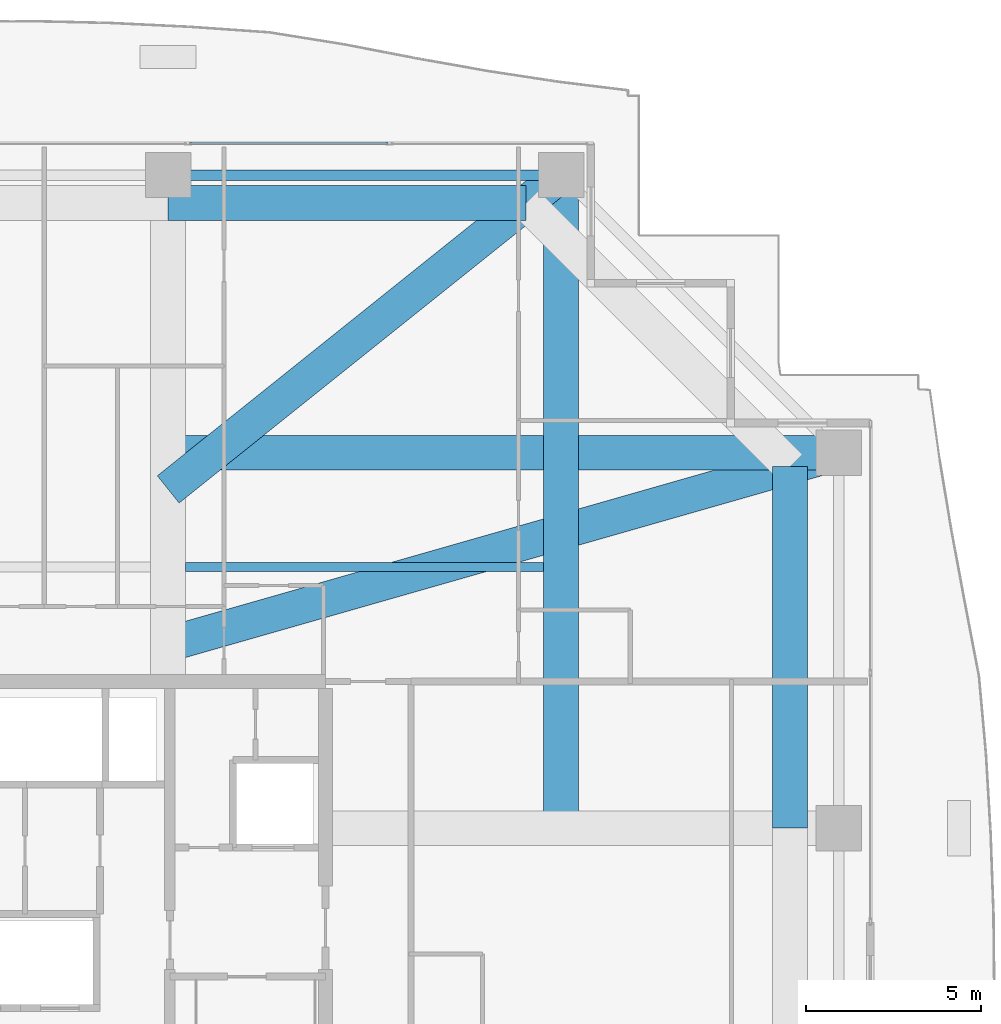
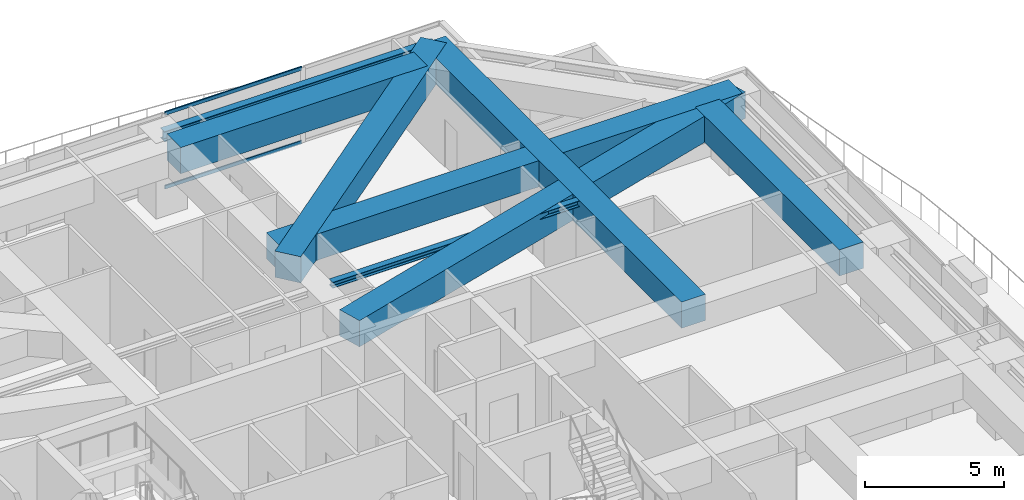
# One storey, part 19 of 32: 8 beams, 2 members, 1 element without a shape of its own.
"""IFC4 building model written with IfcOpenShell, lengths in metres."""

from ifc_helpers import new_model, si_unit, direction, frame, origin, origin_2d, place, context, subcontext, project, spatial, rectangle, hollow_rectangle, i_section, extrude, source, transform, mapped, material, layer, layer_set, material_profile, profile_set, type_object, element, aggregate, save


model = new_model("IFC4")

# Units and contexts
model_context = context("Model", 3, precision=1e-05, world=origin(), true_north=direction((0.0, 1.0)))
body_context = subcontext(model_context, "Body", "Model", "MODEL_VIEW")
ifc_project = project(units=[si_unit("LENGTHUNIT", "METRE"), si_unit("AREAUNIT", "SQUARE_METRE"), si_unit("VOLUMEUNIT", "CUBIC_METRE"), si_unit("PLANEANGLEUNIT", "RADIAN"), si_unit("MASSUNIT", "GRAM", prefix="KILO")], contexts=[model_context])

# Site, building, storey
site_placement = place(None, origin())
site = spatial("IfcSite", under=ifc_project, at=site_placement, CompositionType="ELEMENT")
building_placement = place(site_placement, origin())
building = spatial("IfcBuilding", under=site, at=building_placement, Name="Serunith Strait Residences", CompositionType="ELEMENT")
storey_placement = place(building_placement, frame((0.0, 0.0, 195.14990234375)))
storey = spatial("IfcBuildingStorey", under=building, at=storey_placement, Name="L49", CompositionType="ELEMENT", Elevation=195.14990234375)

# Beams
ifc_material_1 = material(Name="Steel S355J2", Category="steel")
ifc_material_profile_1 = material_profile(ifc_material_1, i_section(OverallWidth=0.300048828125, OverallDepth=0.449951171875, WebThickness=0.013916015625, FlangeThickness=0.02587890625, FilletRadius=0.027099609375, at=origin_2d()), Name="HEB 450")
ifc_profile_set_1 = profile_set([ifc_material_profile_1], Name="Steel S355J2")
beam_type_1 = type_object("IfcBeamType", Name="BM-HEB450", PredefinedType="BEAM", material=ifc_profile_set_1)
shared_shape_1 = source(origin(), body_context, "Body", "SweptSolid", [
    extrude(i_section(OverallWidth=0.300048828125, OverallDepth=0.449951171875, WebThickness=0.013916015625, FlangeThickness=0.02587890625, FilletRadius=0.027099609375, at=origin_2d()), origin(), (0.0, 0.0, 1.0), 11.25),
])
beam_1_placement = place(storey_placement, frame((48.14990234375, 48.10009765625, 3.08203125), z_axis=(-1.0, 0.0, 0.0), x_axis=(0.0, -1.0, 0.0)))
element("IfcBeam", 1, at=beam_1_placement, inside=storey, type_object=beam_type_1, Name="L49 Perimeter Ring Beam 09", PredefinedType="BEAM", context=body_context, shape_type="MappedRepresentation", body=[
    mapped(shared_shape_1, transform((0.0, 0.0, 0.0), scale=1.0)),
])
ifc_material_2 = material(Name="Concrete C80/95", Category="concrete")
ifc_material_profile_2 = material_profile(ifc_material_2, rectangle(XDim=1.0, YDim=1.14990234375, at=origin_2d()), Name="RC 1000x1150")
ifc_profile_set_2 = profile_set([ifc_material_profile_2], Name="Concrete C80/95")
beam_type_2 = type_object("IfcBeamType", Name="BM-XFER-1000x1150", PredefinedType="BEAM", material=ifc_profile_set_2)
shared_shape_2 = source(origin(), body_context, "Body", "SweptSolid", [
    extrude(rectangle(XDim=1.0, YDim=1.14990234375, at=origin_2d()), origin(), (0.0, 0.0, 1.0), 18.7001953125),
])
beam_2_placement = place(storey_placement, frame((48.14990234375, 29.39990234375, 2.735107421875), z_axis=(0.0, 1.0, 0.0), x_axis=(-1.0, 0.0, 0.0)))
element("IfcBeam", 2, at=beam_2_placement, inside=storey, type_object=beam_type_2, Name="L49 Orthogonal Corner Girder TC-N4", PredefinedType="BEAM", context=body_context, shape_type="MappedRepresentation", body=[
    mapped(shared_shape_2, transform((0.0, 0.0, 0.0), scale=1.0)),
])
shared_shape_3 = source(origin(), body_context, "Body", "SweptSolid", [
    extrude(rectangle(XDim=1.0, YDim=1.14990234375, at=origin_2d()), origin(), (0.0, 0.0, 1.0), 19.2001953125),
])
beam_3_placement = place(storey_placement, frame((36.89990234375, 40.14990234375, 2.735107421875), z_axis=(1.0, 0.0, 0.0), x_axis=(0.0, 1.0, 0.0)))
element("IfcBeam", 3, at=beam_3_placement, inside=storey, type_object=beam_type_2, Name="L49 Orthogonal Corner Girder TC-E4", PredefinedType="BEAM", context=body_context, shape_type="MappedRepresentation", body=[
    mapped(shared_shape_3, transform((0.0, 0.0, 0.0), scale=1.0)),
])
shared_shape_4 = source(origin(), body_context, "Body", "SweptSolid", [
    extrude(rectangle(XDim=1.0, YDim=1.14990234375, at=origin_2d()), origin(), (0.0, 0.0, 1.0), 14.406982421875),
])
beam_4_placement = place(storey_placement, frame((48.14990234375, 48.10009765625, 2.735107421875), z_axis=(-0.780868809443, -0.624695047554, 0.0), x_axis=(0.624695047554, -0.780868809443, 0.0)))
element("IfcBeam", 4, at=beam_4_placement, inside=storey, type_object=beam_type_2, Name="L49 Diagonal Corner Transfer Girder TC-N4", PredefinedType="BEAM", context=body_context, shape_type="MappedRepresentation", body=[
    mapped(shared_shape_4, transform((0.0, 0.0, 0.0), scale=1.0)),
])
shared_shape_5 = source(origin(), body_context, "Body", "SweptSolid", [
    extrude(rectangle(XDim=1.0, YDim=1.14990234375, at=origin_2d()), origin(), (0.0, 0.0, 1.0), 19.968505859375),
])
beam_5_placement = place(storey_placement, frame((56.10009765625, 40.14990234375, 2.735107421875), z_axis=(-0.961526254459, -0.274713053907, 0.0), x_axis=(0.274713053907, -0.961526254459, 0.0)))
element("IfcBeam", 5, at=beam_5_placement, inside=storey, type_object=beam_type_2, Name="L49 Diagonal Corner Transfer Girder TC-E4", PredefinedType="BEAM", context=body_context, shape_type="MappedRepresentation", body=[
    mapped(shared_shape_5, transform((0.0, 0.0, 0.0), scale=1.0)),
])
shared_shape_6 = source(origin(), body_context, "Body", "SweptSolid", [
    extrude(rectangle(XDim=1.0, YDim=1.14990234375, at=origin_2d()), origin(), (0.0, 0.0, 1.0), 10.25),
])
beam_6_placement = place(storey_placement, frame((47.14990234375, 47.300048828125, 2.735107421875), z_axis=(-1.0, 0.0, 0.0), x_axis=(0.0, -1.0, 0.0)))
element("IfcBeam", 6, at=beam_6_placement, inside=storey, type_object=beam_type_2, Name="L49 Flare Upper Ring Transfer Girder 09", PredefinedType="BEAM", context=body_context, shape_type="MappedRepresentation", body=[
    mapped(shared_shape_6, transform((0.0, 0.0, 0.0), scale=1.0)),
])
shared_shape_7 = source(origin(), body_context, "Body", "SweptSolid", [
    extrude(rectangle(XDim=1.0, YDim=1.14990234375, at=origin_2d()), origin(), (0.0, 0.0, 1.0), 10.35009765625),
])
beam_7_placement = place(storey_placement, frame((54.699951171875, 29.39990234375, 2.735107421875), z_axis=(0.0, 1.0, 0.0), x_axis=(-1.0, 0.0, 0.0)))
element("IfcBeam", 7, at=beam_7_placement, inside=storey, type_object=beam_type_2, Name="L49 Flare Upper Ring Transfer Girder 07", PredefinedType="BEAM", context=body_context, shape_type="MappedRepresentation", body=[
    mapped(shared_shape_7, transform((0.0, 0.0, 0.0), scale=1.0)),
])
ifc_material_profile_3 = material_profile(ifc_material_1, i_section(OverallWidth=0.260009765625, OverallDepth=0.260009765625, WebThickness=0.010009765625, FlangeThickness=0.017578125, FilletRadius=0.02392578125, at=origin_2d()), Name="HEB 260")
ifc_profile_set_3 = profile_set([ifc_material_profile_3], Name="Steel S355J2")
beam_type_3 = type_object("IfcBeamType", Name="BM-HEB260", PredefinedType="JOIST", material=ifc_profile_set_3)
shared_shape_8 = source(origin(), body_context, "Body", "SweptSolid", [
    extrude(i_section(OverallWidth=0.260009765625, OverallDepth=0.260009765625, WebThickness=0.010009765625, FlangeThickness=0.017578125, FilletRadius=0.02392578125, at=origin_2d()), origin(), (0.0, 0.0, 1.0), 10.25),
])
beam_8_placement = place(storey_placement, frame((37.39990234375, 36.875, 3.177001953125), z_axis=(1.0, 0.0, 0.0), x_axis=(0.0, 1.0, 0.0)))
element("IfcBeam", 8, at=beam_8_placement, inside=storey, type_object=beam_type_3, Name="L49 Composite Floor Joist 06", PredefinedType="JOIST", context=body_context, shape_type="MappedRepresentation", body=[
    mapped(shared_shape_8, transform((0.0, 0.0, 0.0), scale=1.0)),
])

# Curtain wall, members
ifc_material_3 = material(Name="Pale-Silver PVDF Aluminium", Category="aluminium")
ifc_layer = layer(ifc_material_3, 0.199951171875, Name="Pale-Silver PVDF Aluminium")
ifc_layer_set = layer_set([ifc_layer], Name="Pale-Silver PVDF Aluminium")
curtain_wall_type = type_object("IfcCurtainWallType", Name="CW-SYS3", PredefinedType="NOTDEFINED", material=ifc_layer_set)
curtain_wall_placement = place(storey_placement, origin())
curtain_wall = element("IfcCurtainWall", 9, at=curtain_wall_placement, inside=storey, type_object=curtain_wall_type, Name="L49 N Unitised Fritted Curtain Wall", PredefinedType="NOTDEFINED")
ifc_material_profile_4 = material_profile(ifc_material_3, hollow_rectangle(XDim=0.06005859375, YDim=0.159912109375, WallThickness=0.00341796875, InnerFilletRadius=0.00537109375, OuterFilletRadius=0.0087890625, at=origin_2d()), Name="ALU 160x60x3.5")
ifc_profile_set_4 = profile_set([ifc_material_profile_4], Name="Pale-Silver PVDF Aluminium")
member_type = type_object("IfcMemberType", Name="CW-SYS3-TRAN", PredefinedType="USERDEFINED", material=ifc_profile_set_4)
shared_shape_9 = source(origin(), body_context, "Body", "SweptSolid", [
    extrude(hollow_rectangle(XDim=0.06005859375, YDim=0.159912109375, WallThickness=0.00341796875, InnerFilletRadius=0.00537109375, OuterFilletRadius=0.0087890625, at=origin_2d()), origin(), (0.0, 0.0, 1.0), 5.691650390625),
])
member_1_placement = place(storey_placement, frame((43.19580078125, 49.0, 0.030029296875), z_axis=(-1.0, 0.0, 0.0), x_axis=(0.0, -1.0, 0.0)))
member_1 = element("IfcMember", 10, at=member_1_placement, type_object=member_type, Name="CW-3 transom 2.1", ObjectType="TRANSOM", PredefinedType="USERDEFINED", context=body_context, shape_type="MappedRepresentation", body=[
    mapped(shared_shape_9, transform((0.0, 0.0, 0.0), scale=1.0)),
])
member_2_placement = place(storey_placement, frame((43.19580078125, 49.0, 3.26513671875), z_axis=(-1.0, 0.0, 0.0), x_axis=(0.0, -1.0, 0.0)))
member_2 = element("IfcMember", 11, at=member_2_placement, type_object=member_type, Name="CW-3 transom 2.2", ObjectType="TRANSOM", PredefinedType="USERDEFINED", context=body_context, shape_type="MappedRepresentation", body=[
    mapped(shared_shape_9, transform((0.0, 0.0, 0.0), scale=1.0)),
])
aggregate(curtain_wall, [member_1, member_2])

save(model, "model.ifc")
